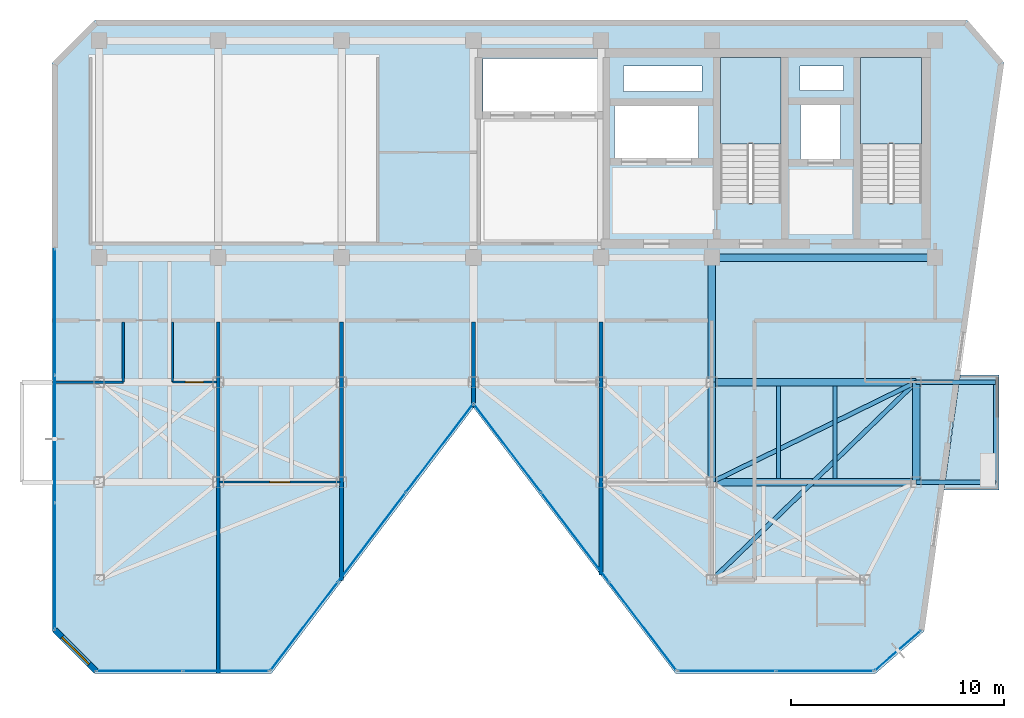
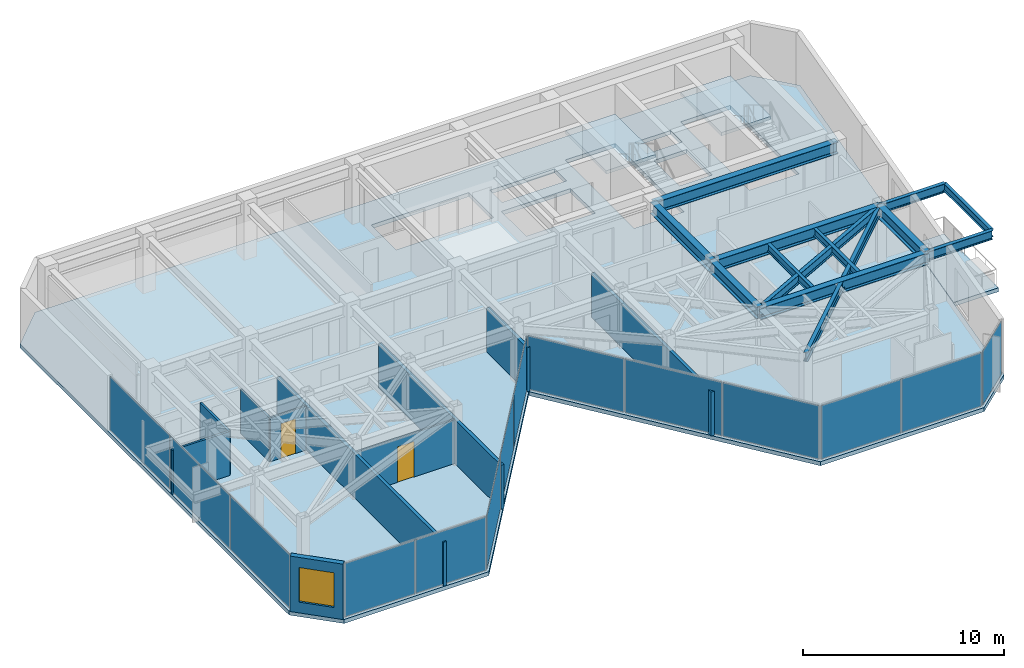
# One storey, part 15 of 20: 14 plates, 13 beams, 10 walls, 4 slabs, 2 doors, 1 window, 3 openings, 8 elements without a shape of their own.
"""IFC4 building model written with IfcOpenShell, lengths in metres."""

from ifc_helpers import new_model, si_unit, direction, frame, frame_2d, origin, origin_2d, place, context, subcontext, project, spatial, polyline, rectangle, i_section, outline, extrude, material, layer, layer_set, material_profile, profile_set, type_object, element, fill, aggregate, save


model = new_model("IFC4")

# Units and contexts
model_context = context("Model", 3, precision=1e-05, world=origin(), true_north=direction((0.0, 1.0)))
body_context = subcontext(model_context, "Body", "Model", "MODEL_VIEW")
ifc_project = project(units=[si_unit("LENGTHUNIT", "METRE"), si_unit("AREAUNIT", "SQUARE_METRE"), si_unit("VOLUMEUNIT", "CUBIC_METRE"), si_unit("PLANEANGLEUNIT", "RADIAN"), si_unit("MASSUNIT", "GRAM", prefix="KILO")], contexts=[model_context])

# Site, building, storey
site_placement = place(None, origin())
site = spatial("IfcSite", under=ifc_project, at=site_placement, CompositionType="ELEMENT")
building_placement = place(site_placement, origin())
building = spatial("IfcBuilding", under=site, at=building_placement, Name="Kravanh Interchange Tower", CompositionType="ELEMENT")
storey_placement = place(building_placement, frame((0.0, 0.0, 252.60009765625)))
storey = spatial("IfcBuildingStorey", under=building, at=storey_placement, Name="L61", CompositionType="ELEMENT", Elevation=252.60009765625)

# Beams
ifc_material_1 = material(Name="Structural Steel S355", Category="steel")
ifc_material_profile_1 = material_profile(ifc_material_1, i_section(OverallWidth=0.35498046875, OverallDepth=0.696044921875, WebThickness=0.015380859375, FlangeThickness=0.02490234375, FilletRadius=0.02392578125, at=origin_2d()), Name="W27X146")
ifc_profile_set_1 = profile_set([ifc_material_profile_1], Name="Structural Steel S355")
beam_type_1 = type_object("IfcBeamType", Name="Floor Beam W27X146 Structural Steel S355", PredefinedType="BEAM", material=ifc_profile_set_1)
beam_1_placement = place(storey_placement, frame((56.0, 31.5, 3.011962890625), z_axis=(0.0, -1.0, 0.0), x_axis=(1.0, 0.0, 0.0)))
element("IfcBeam", 1, at=beam_1_placement, inside=storey, type_object=beam_type_1, Name="L61 Primary Floor Girder 9", PredefinedType="BEAM", context=body_context, shape_type="SweptSolid", body=[
    extrude(i_section(OverallWidth=0.35498046875, OverallDepth=0.696044921875, WebThickness=0.015380859375, FlangeThickness=0.02490234375, FilletRadius=0.02392578125, at=origin_2d()), origin(), (0.0, 0.0, 1.0), 4.699951171875),
])
beam_2_placement = place(storey_placement, frame((56.0, 31.5, 3.011962890625), z_axis=(0.0, 1.0, 0.0), x_axis=(-1.0, 0.0, 0.0)))
element("IfcBeam", 2, at=beam_2_placement, inside=storey, type_object=beam_type_1, Name="L61 Primary Floor Girder 10", PredefinedType="BEAM", context=body_context, shape_type="SweptSolid", body=[
    extrude(i_section(OverallWidth=0.35498046875, OverallDepth=0.696044921875, WebThickness=0.015380859375, FlangeThickness=0.02490234375, FilletRadius=0.02392578125, at=origin_2d()), origin(), (0.0, 0.0, 1.0), 5.85009765625),
])
beam_3_placement = place(storey_placement, frame((56.0, 31.5, 3.011962890625), z_axis=(1.0, 0.0, 0.0), x_axis=(0.0, 1.0, 0.0)))
element("IfcBeam", 3, at=beam_3_placement, inside=storey, type_object=beam_type_1, Name="L61 Primary Floor Girder 12", PredefinedType="BEAM", context=body_context, shape_type="SweptSolid", body=[
    extrude(i_section(OverallWidth=0.35498046875, OverallDepth=0.696044921875, WebThickness=0.015380859375, FlangeThickness=0.02490234375, FilletRadius=0.02392578125, at=origin_2d()), origin(), (0.0, 0.0, 1.0), 9.60009765625),
])
beam_4_placement = place(storey_placement, frame((65.60009765625, 31.5, 3.011962890625), z_axis=(0.0, -1.0, 0.0), x_axis=(1.0, 0.0, 0.0)))
element("IfcBeam", 4, at=beam_4_placement, inside=storey, type_object=beam_type_1, Name="L61 Primary Floor Girder 13", PredefinedType="BEAM", context=body_context, shape_type="SweptSolid", body=[
    extrude(i_section(OverallWidth=0.35498046875, OverallDepth=0.696044921875, WebThickness=0.015380859375, FlangeThickness=0.02490234375, FilletRadius=0.02392578125, at=origin_2d()), origin(), (0.0, 0.0, 1.0), 4.699951171875),
])
beam_5_placement = place(storey_placement, frame((56.0, 26.800048828125, 3.011962890625), z_axis=(1.0, 0.0, 0.0), x_axis=(0.0, 1.0, 0.0)))
element("IfcBeam", 5, at=beam_5_placement, inside=storey, type_object=beam_type_1, Name="L61 Primary Floor Girder 36", PredefinedType="BEAM", context=body_context, shape_type="SweptSolid", body=[
    extrude(i_section(OverallWidth=0.35498046875, OverallDepth=0.696044921875, WebThickness=0.015380859375, FlangeThickness=0.02490234375, FilletRadius=0.02392578125, at=origin_2d()), origin(), (0.0, 0.0, 1.0), 9.60009765625),
])
beam_6_placement = place(storey_placement, frame((66.5, 37.35009765625, 3.011962890625), z_axis=(-1.0, 0.0, 0.0), x_axis=(0.0, -1.0, 0.0)))
element("IfcBeam", 6, at=beam_6_placement, inside=storey, type_object=beam_type_1, Name="L61 Primary Floor Girder 47", PredefinedType="BEAM", context=body_context, shape_type="SweptSolid", body=[
    extrude(i_section(OverallWidth=0.35498046875, OverallDepth=0.696044921875, WebThickness=0.015380859375, FlangeThickness=0.02490234375, FilletRadius=0.02392578125, at=origin_2d()), origin(), (0.0, 0.0, 1.0), 10.5),
])
ifc_material_2 = material(Name="Structural Steel S355", Category="steel")
ifc_material_profile_2 = material_profile(ifc_material_2, i_section(OverallWidth=0.18994140625, OverallDepth=0.45703125, WebThickness=0.009033203125, FlangeThickness=0.014404296875, FilletRadius=0.01806640625, at=origin_2d()), Name="W18X50")
ifc_profile_set_2 = profile_set([ifc_material_profile_2], Name="Structural Steel S355")
beam_type_2 = type_object("IfcBeamType", Name="Floor Joist W18X50 Structural Steel S355", PredefinedType="JOIST", material=ifc_profile_set_2)
for number, where, z_axis, x_axis, name in (
    (7, (59.139892578125, 26.972412109375, 3.13134765625), (0.0, 1.0, 0.0), (-1.0, 0.0, 0.0), "L61 Secondary Floor Joist 9"),
    (8, (61.7958984375, 26.972412109375, 3.13134765625), (0.0, 1.0, 0.0), (-1.0, 0.0, 0.0), "L61 Secondary Floor Joist 10"),
):
    element("IfcBeam", number, at=place(storey_placement, frame(where, z_axis=z_axis, x_axis=x_axis)), inside=storey, type_object=beam_type_2, Name=name, PredefinedType="JOIST", context=body_context, shape_type="SweptSolid", body=[
        extrude(i_section(OverallWidth=0.18994140625, OverallDepth=0.45703125, WebThickness=0.009033203125, FlangeThickness=0.014404296875, FilletRadius=0.01806640625, at=origin_2d()), origin(), (0.0, 0.0, 1.0), 4.35498046875),
    ])
beam_7_placement = place(storey_placement, frame((69.330078125, 26.800048828125, 3.13134765625), z_axis=(0.0, 1.0, 0.0), x_axis=(-1.0, 0.0, 0.0)))
element("IfcBeam", 9, at=beam_7_placement, inside=storey, type_object=beam_type_2, Name="L61 Balcony Edge Tie Beam E", PredefinedType="JOIST", context=body_context, shape_type="SweptSolid", body=[
    extrude(i_section(OverallWidth=0.18994140625, OverallDepth=0.45703125, WebThickness=0.009033203125, FlangeThickness=0.014404296875, FilletRadius=0.01806640625, at=origin_2d()), origin(), (0.0, 0.0, 1.0), 4.699951171875),
])
ifc_material_3 = material(Name="Structural Steel S355", Category="steel")
ifc_material_profile_3 = material_profile(ifc_material_3, i_section(OverallWidth=0.2099609375, OverallDepth=0.537109375, WebThickness=0.010986328125, FlangeThickness=0.017333984375, FilletRadius=0.02001953125, at=origin_2d()), Name="W21X68")
ifc_profile_set_3 = profile_set([ifc_material_profile_3], Name="Structural Steel S355")
beam_type_3 = type_object("IfcBeamType", Name="Floor Spandrel W21X68 Structural Steel S355", PredefinedType="SPANDREL", material=ifc_profile_set_3)
beam_8_placement = place(storey_placement, frame((65.60009765625, 31.5, 3.09130859375), z_axis=(-0.898141688387, -0.439706160499, 0.0), x_axis=(0.439706160499, -0.898141688387, 0.0)))
element("IfcBeam", 10, at=beam_8_placement, inside=storey, type_object=beam_type_3, Name="L61 Perimeter Spandrel 15", PredefinedType="SPANDREL", context=body_context, shape_type="SweptSolid", body=[
    extrude(i_section(OverallWidth=0.2099609375, OverallDepth=0.537109375, WebThickness=0.010986328125, FlangeThickness=0.017333984375, FilletRadius=0.02001953125, at=origin_2d()), origin(), (0.0, 0.0, 1.0), 10.68896484375),
])
beam_9_placement = place(storey_placement, frame((65.60009765625, 31.5, 3.09130859375), z_axis=(-0.718241934329, -0.695793449072, 0.0), x_axis=(0.695793449072, -0.718241934329, 0.0)))
element("IfcBeam", 11, at=beam_9_placement, inside=storey, type_object=beam_type_3, Name="L61 Perimeter Spandrel 16", PredefinedType="SPANDREL", context=body_context, shape_type="SweptSolid", body=[
    extrude(i_section(OverallWidth=0.2099609375, OverallDepth=0.537109375, WebThickness=0.010986328125, FlangeThickness=0.017333984375, FilletRadius=0.02001953125, at=origin_2d()), origin(), (0.0, 0.0, 1.0), 13.3662109375),
])
for number, where, z_axis, x_axis, name in (
    (12, (65.60009765625, 26.800048828125, 3.09130859375), (1.0, 0.0, 0.0), (0.0, 1.0, 0.0), "L61 Balcony Cantilever Outrigger E1"),
    (13, (65.60009765625, 31.5, 3.09130859375), (1.0, 0.0, 0.0), (0.0, 1.0, 0.0), "L61 Balcony Cantilever Outrigger E2"),
):
    element("IfcBeam", number, at=place(storey_placement, frame(where, z_axis=z_axis, x_axis=x_axis)), inside=storey, type_object=beam_type_3, Name=name, PredefinedType="SPANDREL", context=body_context, shape_type="SweptSolid", body=[
        extrude(i_section(OverallWidth=0.2099609375, OverallDepth=0.537109375, WebThickness=0.010986328125, FlangeThickness=0.017333984375, FilletRadius=0.02001953125, at=origin_2d()), origin(), (0.0, 0.0, 1.0), 3.72998046875),
    ])

# Curtain wall, plates
ifc_material_4 = material(Name="Anodised Bronze Aluminium", Category="aluminium")
ifc_layer_1 = layer(ifc_material_4, 0.179931640625)
ifc_layer_set_1 = layer_set([ifc_layer_1], Name="Unitised Curtain Wall System CW-HTL Luxury Hotel")
curtain_wall_type = type_object("IfcCurtainWallType", Name="Unitised Curtain Wall System CW-HTL Luxury Hotel", PredefinedType="NOTDEFINED", material=ifc_layer_set_1)
curtain_wall_1_placement = place(storey_placement, origin())
curtain_wall_1 = element("IfcCurtainWall", 14, at=curtain_wall_1_placement, inside=storey, type_object=curtain_wall_type, Name="L61 Unitised Curtain Wall CW-L61-01", PredefinedType="NOTDEFINED")
ifc_material_5 = material(Name="Low-E Laminated Architectural Glass", Category="glass")
ifc_layer_2 = layer(ifc_material_5, 0.030029296875)
ifc_layer_set_2 = layer_set([ifc_layer_2], Name="Acoustic Laminated Glazing 30mm")
plate_type = type_object("IfcPlateType", Name="Acoustic Laminated Glazing 30mm", PredefinedType="CURTAIN_PANEL", material=ifc_layer_set_2)
plate_1_placement = place(storey_placement, frame((25.1201171875, 22.8564453125, 0.06005859375), z_axis=(0.0, 0.0, 1.0), x_axis=(0.0, 1.0, 0.0)))
plate_1 = element("IfcPlate", 15, at=plate_1_placement, type_object=plate_type, Name="CW-HTL panel 1.1", PredefinedType="CURTAIN_PANEL", context=body_context, shape_type="SweptSolid", body=[
    extrude(rectangle(XDim=5.8935546875, YDim=0.030029296875, at=origin_2d()), origin(), (0.0, 0.0, 1.0), 3.239990234375),
])
plate_2_placement = place(storey_placement, frame((25.1201171875, 28.824951171875, 0.06005859375), z_axis=(0.0, 0.0, 1.0), x_axis=(0.0, 1.0, 0.0)))
plate_2 = element("IfcPlate", 16, at=plate_2_placement, type_object=plate_type, Name="CW-HTL panel 2.1", PredefinedType="CURTAIN_PANEL", context=body_context, shape_type="SweptSolid", body=[
    extrude(rectangle(XDim=5.92333984375, YDim=0.030029296875, at=origin_2d()), origin(), (0.0, 0.0, 1.0), 3.239990234375),
])
plate_3_placement = place(storey_placement, frame((25.1201171875, 34.793212890625, 0.06005859375), z_axis=(0.0, 0.0, 1.0), x_axis=(0.0, 1.0, 0.0)))
plate_3 = element("IfcPlate", 17, at=plate_3_placement, type_object=plate_type, Name="CW-HTL panel 3.1", PredefinedType="CURTAIN_PANEL", context=body_context, shape_type="SweptSolid", body=[
    extrude(rectangle(XDim=5.8935546875, YDim=0.030029296875, at=origin_2d()), origin(), (0.0, 0.0, 1.0), 3.239990234375),
])
aggregate(curtain_wall_1, [plate_1, plate_2, plate_3])

# Curtain wall, plate
curtain_wall_2_placement = place(storey_placement, origin())
curtain_wall_2 = element("IfcCurtainWall", 18, at=curtain_wall_2_placement, inside=storey, type_object=curtain_wall_type, Name="L61 Unitised Curtain Wall CW-L61-02", PredefinedType="NOTDEFINED")
plate_4_placement = place(storey_placement, frame((64.745849609375, 18.880859375, 0.06005859375), z_axis=(0.0, 0.0, 1.0), x_axis=(-0.754717231494, -0.656050227106, 0.0)))
plate_4 = element("IfcPlate", 19, at=plate_4_placement, type_object=plate_type, Name="CW-HTL panel 1.1", PredefinedType="CURTAIN_PANEL", context=body_context, shape_type="SweptSolid", body=[
    extrude(rectangle(XDim=2.80908203125, YDim=0.030029296875, at=origin_2d()), origin(), (0.0, 0.0, 1.0), 3.239990234375),
])
aggregate(curtain_wall_2, [plate_4])

# Curtain wall, plates
curtain_wall_3_placement = place(storey_placement, origin())
curtain_wall_3 = element("IfcCurtainWall", 20, at=curtain_wall_3_placement, inside=storey, type_object=curtain_wall_type, Name="L61 Unitised Curtain Wall CW-L61-03", PredefinedType="NOTDEFINED")
plate_5_placement = place(storey_placement, frame((61.30517578125, 17.919921875, 0.06005859375), z_axis=(0.0, 0.0, 1.0), x_axis=(-1.0, 0.0, 0.0)))
plate_5 = element("IfcPlate", 21, at=plate_5_placement, type_object=plate_type, Name="CW-HTL panel 1.1", PredefinedType="CURTAIN_PANEL", context=body_context, shape_type="SweptSolid", body=[
    extrude(rectangle(XDim=4.550537109375, YDim=0.030029296875, at=origin_2d()), origin(), (0.0, 0.0, 1.0), 3.239990234375),
])
plate_6_placement = place(storey_placement, frame((56.69482421875, 17.919921875, 0.06005859375), z_axis=(0.0, 0.0, 1.0), x_axis=(-1.0, 0.0, 0.0)))
plate_6 = element("IfcPlate", 22, at=plate_6_placement, type_object=plate_type, Name="CW-HTL panel 2.1", PredefinedType="CURTAIN_PANEL", context=body_context, shape_type="SweptSolid", body=[
    extrude(rectangle(XDim=4.550537109375, YDim=0.030029296875, at=origin_2d()), origin(), (0.0, 0.0, 1.0), 3.239990234375),
])
aggregate(curtain_wall_3, [plate_5, plate_6])

curtain_wall_4_placement = place(storey_placement, origin())
curtain_wall_4 = element("IfcCurtainWall", 23, at=curtain_wall_4_placement, inside=storey, type_object=curtain_wall_type, Name="L61 Unitised Curtain Wall CW-L61-04", PredefinedType="NOTDEFINED")
plate_7_placement = place(storey_placement, frame((52.757080078125, 20.0283203125, 0.06005859375), z_axis=(0.0, 0.0, 1.0), x_axis=(-0.605082946564, 0.79616243806, 0.0)))
plate_7 = element("IfcPlate", 24, at=plate_7_placement, type_object=plate_type, Name="CW-HTL panel 1.1", PredefinedType="CURTAIN_PANEL", context=body_context, shape_type="SweptSolid", body=[
    extrude(rectangle(XDim=5.17626953125, YDim=0.030029296875, at=origin_2d()), origin(), (0.0, 0.0, 1.0), 3.239990234375),
])
plate_8_placement = place(storey_placement, frame((49.579833984375, 24.209228515625, 0.06005859375), z_axis=(0.0, 0.0, 1.0), x_axis=(-0.605082946564, 0.79616243806, 0.0)))
plate_8 = element("IfcPlate", 25, at=plate_8_placement, type_object=plate_type, Name="CW-HTL panel 2.1", PredefinedType="CURTAIN_PANEL", context=body_context, shape_type="SweptSolid", body=[
    extrude(rectangle(XDim=5.206298828125, YDim=0.030029296875, at=origin_2d()), origin(), (0.0, 0.0, 1.0), 3.239990234375),
])
plate_9_placement = place(storey_placement, frame((46.40234375, 28.389892578125, 0.06005859375), z_axis=(0.0, 0.0, 1.0), x_axis=(-0.605082946564, 0.79616243806, 0.0)))
plate_9 = element("IfcPlate", 26, at=plate_9_placement, type_object=plate_type, Name="CW-HTL panel 3.1", PredefinedType="CURTAIN_PANEL", context=body_context, shape_type="SweptSolid", body=[
    extrude(rectangle(XDim=5.17626953125, YDim=0.030029296875, at=origin_2d()), origin(), (0.0, 0.0, 1.0), 3.239990234375),
])
aggregate(curtain_wall_4, [plate_7, plate_8, plate_9])

curtain_wall_5_placement = place(storey_placement, origin())
curtain_wall_5 = element("IfcCurtainWall", 27, at=curtain_wall_5_placement, inside=storey, type_object=curtain_wall_type, Name="L61 Unitised Curtain Wall CW-L61-05", PredefinedType="NOTDEFINED")
plate_10_placement = place(storey_placement, frame((43.19775390625, 28.389892578125, 0.06005859375), z_axis=(0.0, 0.0, 1.0), x_axis=(-0.605082946564, -0.79616243806, 0.0)))
plate_10 = element("IfcPlate", 28, at=plate_10_placement, type_object=plate_type, Name="CW-HTL panel 1.1", PredefinedType="CURTAIN_PANEL", context=body_context, shape_type="SweptSolid", body=[
    extrude(rectangle(XDim=5.17626953125, YDim=0.030029296875, at=origin_2d()), origin(), (0.0, 0.0, 1.0), 3.239990234375),
])
plate_11_placement = place(storey_placement, frame((40.020263671875, 24.209228515625, 0.06005859375), z_axis=(0.0, 0.0, 1.0), x_axis=(-0.605082946564, -0.79616243806, 0.0)))
plate_11 = element("IfcPlate", 29, at=plate_11_placement, type_object=plate_type, Name="CW-HTL panel 2.1", PredefinedType="CURTAIN_PANEL", context=body_context, shape_type="SweptSolid", body=[
    extrude(rectangle(XDim=5.206298828125, YDim=0.030029296875, at=origin_2d()), origin(), (0.0, 0.0, 1.0), 3.239990234375),
])
plate_12_placement = place(storey_placement, frame((36.8427734375, 20.0283203125, 0.06005859375), z_axis=(0.0, 0.0, 1.0), x_axis=(-0.605082946564, -0.79616243806, 0.0)))
plate_12 = element("IfcPlate", 30, at=plate_12_placement, type_object=plate_type, Name="CW-HTL panel 3.1", PredefinedType="CURTAIN_PANEL", context=body_context, shape_type="SweptSolid", body=[
    extrude(rectangle(XDim=5.17626953125, YDim=0.030029296875, at=origin_2d()), origin(), (0.0, 0.0, 1.0), 3.239990234375),
])
aggregate(curtain_wall_5, [plate_10, plate_11, plate_12])

curtain_wall_6_placement = place(storey_placement, origin())
curtain_wall_6 = element("IfcCurtainWall", 31, at=curtain_wall_6_placement, inside=storey, type_object=curtain_wall_type, Name="L61 Unitised Curtain Wall CW-L61-06", PredefinedType="NOTDEFINED")
plate_13_placement = place(storey_placement, frame((33.177734375, 17.919921875, 0.06005859375), z_axis=(0.0, 0.0, 1.0), x_axis=(-1.0, 0.0, 0.0)))
plate_13 = element("IfcPlate", 32, at=plate_13_placement, type_object=plate_type, Name="CW-HTL panel 1.1", PredefinedType="CURTAIN_PANEL", context=body_context, shape_type="SweptSolid", body=[
    extrude(rectangle(XDim=4.00537109375, YDim=0.030029296875, at=origin_2d()), origin(), (0.0, 0.0, 1.0), 3.239990234375),
])
plate_14_placement = place(storey_placement, frame((29.1123046875, 17.919921875, 0.06005859375), z_axis=(0.0, 0.0, 1.0), x_axis=(-1.0, 0.0, 0.0)))
plate_14 = element("IfcPlate", 33, at=plate_14_placement, type_object=plate_type, Name="CW-HTL panel 2.1", PredefinedType="CURTAIN_PANEL", context=body_context, shape_type="SweptSolid", body=[
    extrude(rectangle(XDim=4.00537109375, YDim=0.030029296875, at=origin_2d()), origin(), (0.0, 0.0, 1.0), 3.239990234375),
])
aggregate(curtain_wall_6, [plate_13, plate_14])

# Slab
ifc_material_6 = material(Name="Concrete C50/60", Category="concrete")
ifc_layer_3 = layer(ifc_material_6, 0.239990234375)
ifc_layer_set_3 = layer_set([ifc_layer_3], Name="Composite Floor Slab Concrete C50/60 240mm")
slab_type_1 = type_object("IfcSlabType", Name="Composite Floor Slab Concrete C50/60 240mm", PredefinedType="FLOOR", material=ifc_layer_set_3)
slab_1_placement = place(storey_placement, frame((0.0, 0.0, -0.239990234375)))
element("IfcSlab", 34, at=slab_1_placement, inside=storey, type_object=slab_type_1, Name="L61 Structural Floor Slab", PredefinedType="FLOOR", context=body_context, shape_type="SweptSolid", body=[
    extrude(outline(polyline([(25.0, 19.800048828125), (27.0, 17.800048828125), (35.300048828125, 17.800048828125), (44.800048828125, 30.300048828125), (54.300048828125, 17.800048828125), (63.685302734375, 17.800048828125), (65.963623046875, 19.780517578125), (69.7216796875, 46.51953125), (68.0, 48.5), (27.0, 48.5), (25.0, 46.5), (25.0, 19.800048828125)]), holes=[polyline([(65.85009765625, 39.925048828125), (65.85009765625, 46.75), (63.0, 46.75), (63.0, 39.925048828125), (65.85009765625, 39.925048828125)]), polyline([(59.25, 39.925048828125), (59.25, 46.75), (56.39990234375, 46.75), (56.39990234375, 39.925048828125), (59.25, 39.925048828125)]), polyline([(45.239990234375, 44.219970703125), (50.840087890625, 44.219970703125), (50.840087890625, 46.699951171875), (45.239990234375, 46.699951171875), (45.239990234375, 44.219970703125)]), polyline([(51.419921875, 42.02001953125), (55.3798828125, 42.02001953125), (55.3798828125, 44.47998046875), (51.419921875, 44.47998046875), (51.419921875, 42.02001953125)]), polyline([(60.179931640625, 41.97998046875), (62.06005859375, 41.97998046875), (62.06005859375, 44.52001953125), (60.179931640625, 44.52001953125), (60.179931640625, 41.97998046875)]), polyline([(60.14990234375, 45.199951171875), (62.199951171875, 45.199951171875), (62.199951171875, 46.35009765625), (60.14990234375, 46.35009765625), (60.14990234375, 45.199951171875)]), polyline([(51.85009765625, 45.14990234375), (55.550048828125, 45.14990234375), (55.550048828125, 46.35009765625), (51.85009765625, 46.35009765625), (51.85009765625, 45.14990234375)])]), origin(), (0.0, 0.0, 1.0), 0.239990234375),
])

# Stair, slab
ifc_material_7 = material(Name="Concrete C50/60", Category="concrete")
stair_type = type_object("IfcStairType", Name="Core Fire Exit Dogleg Stair Concrete C50/60", PredefinedType="HALF_TURN_STAIR", material=ifc_material_7)
stair_1_placement = place(storey_placement, origin())
stair_1 = element("IfcStair", 35, at=stair_1_placement, inside=storey, type_object=stair_type, Name="L61 Exit Stair ST1", PredefinedType="HALF_TURN_STAIR")
ifc_material_8 = material(Name="Concrete C50/60", Category="concrete")
ifc_layer_4 = layer(ifc_material_8, 0.199951171875)
ifc_layer_set_4 = layer_set([ifc_layer_4], Name="Concrete C50/60 Stair Half-Landing Slab 200mm")
slab_type_2 = type_object("IfcSlabType", Name="Concrete C50/60 Stair Half-Landing Slab 200mm", PredefinedType="LANDING", material=ifc_layer_set_4)
slab_2_placement = place(storey_placement, frame((0.0, 0.0, 1.599853515625)))
slab_2 = element("IfcSlab", 36, at=slab_2_placement, type_object=slab_type_2, Name="ST1 landing 1", PredefinedType="LANDING", context=body_context, shape_type="SweptSolid", body=[
    extrude(outline(polyline([(65.85009765625, 42.699951171875), (65.85009765625, 46.75), (63.0, 46.75), (63.0, 42.699951171875), (65.85009765625, 42.699951171875)])), origin(), (0.0, 0.0, 1.0), 0.199951171875),
])
aggregate(stair_1, [slab_2])

stair_2_placement = place(storey_placement, origin())
stair_2 = element("IfcStair", 37, at=stair_2_placement, inside=storey, type_object=stair_type, Name="L61 Exit Stair ST2", PredefinedType="HALF_TURN_STAIR")
slab_3_placement = place(storey_placement, frame((0.0, 0.0, 1.599853515625)))
slab_3 = element("IfcSlab", 38, at=slab_3_placement, type_object=slab_type_2, Name="ST2 landing 1", PredefinedType="LANDING", context=body_context, shape_type="SweptSolid", body=[
    extrude(outline(polyline([(59.25, 42.699951171875), (59.25, 46.75), (56.39990234375, 46.75), (56.39990234375, 42.699951171875), (59.25, 42.699951171875)])), origin(), (0.0, 0.0, 1.0), 0.199951171875),
])
aggregate(stair_2, [slab_3])

# Slab
ifc_material_9 = material(Name="Concrete C50/60", Category="concrete")
ifc_layer_5 = layer(ifc_material_9, 0.199951171875)
ifc_layer_set_5 = layer_set([ifc_layer_5], Name="Planted Tree Balcony Slab Concrete C50/60 200mm")
slab_type_3 = type_object("IfcSlabType", Name="Planted Tree Balcony Slab Concrete C50/60 200mm", PredefinedType="USERDEFINED", material=ifc_layer_set_5)
slab_4_placement = place(storey_placement, frame((0.0, 0.0, -0.239990234375)))
element("IfcSlab", 39, at=slab_4_placement, inside=storey, type_object=slab_type_3, Name="L61 East Tree Planter Balcony Slab", ObjectType="BALCONY", PredefinedType="USERDEFINED", context=body_context, shape_type="SweptSolid", body=[
    extrude(outline(polyline([(69.489990234375, 31.830078125), (69.489990234375, 26.429931640625), (66.913330078125, 26.429931640625), (67.67236328125, 31.830078125), (69.489990234375, 31.830078125)])), origin(), (0.0, 0.0, 1.0), 0.239990234375),
])

# Walls
ifc_material_10 = material(Name="Double Acoustic Gypsum Board and Mineral Wool")
ifc_layer_6 = layer(ifc_material_10, 0.1201171875)
ifc_layer_set_6 = layer_set([ifc_layer_6], Name="Acoustic Office Drywall Partition 120mm")
wall_type_1 = type_object("IfcWallType", Name="Acoustic Office Drywall Partition 120mm", PredefinedType="PARTITIONING", material=ifc_layer_set_6)
wall_1_placement = place(storey_placement, frame((28.340087890625, 31.5, 0.0), z_axis=(0.0, 0.0, 1.0), x_axis=(0.0, 1.0, 0.0)))
element("IfcWall", 40, at=wall_1_placement, inside=storey, type_object=wall_type_1, Name="L61 Interior Partition 13", PredefinedType="PARTITIONING", context=body_context, shape_type="SweptSolid", body=[
    extrude(rectangle(XDim=2.83203125, YDim=0.1201171875, at=frame_2d((1.416015625, 0.0))), origin(), (0.0, 0.0, 1.0), 2.663818359375),
])
wall_2_placement = place(storey_placement, frame((25.014892578125, 31.5, 0.0), z_axis=(0.0, 0.0, 1.0), x_axis=(1.0, 0.0, 0.0)))
element("IfcWall", 41, at=wall_2_placement, inside=storey, type_object=wall_type_1, Name="L61 Interior Partition 14", PredefinedType="PARTITIONING", context=body_context, shape_type="SweptSolid", body=[
    extrude(rectangle(XDim=3.3251953125, YDim=0.1201171875, at=frame_2d((1.66259765625, 0.0))), origin(), (0.0, 0.0, 1.0), 2.663818359375),
])
ifc_material_11 = material(Name="Moisture-Resistant Gypsum Board and Mineral Wool")
ifc_layer_7 = layer(ifc_material_11, 0.10009765625)
ifc_layer_set_7 = layer_set([ifc_layer_7], Name="En-Suite Moisture-Resistant Partition 100mm")
wall_type_2 = type_object("IfcWallType", Name="En-Suite Moisture-Resistant Partition 100mm", PredefinedType="PARTITIONING", material=ifc_layer_set_7)
wall_3_placement = place(storey_placement, frame((30.64990234375, 31.5, 0.0), z_axis=(0.0, 0.0, 1.0), x_axis=(0.0, 1.0, 0.0)))
element("IfcWall", 42, at=wall_3_placement, inside=storey, type_object=wall_type_2, Name="L61 Interior Partition 22", PredefinedType="PARTITIONING", context=body_context, shape_type="SweptSolid", body=[
    extrude(rectangle(XDim=2.83203125, YDim=0.10009765625, at=frame_2d((1.416015625, 0.0))), origin(), (0.0, 0.0, 1.0), 2.663818359375),
])

# Wall, opening, door
wall_4_placement = place(storey_placement, frame((30.64990234375, 31.5, 0.0), z_axis=(0.0, 0.0, 1.0), x_axis=(1.0, 0.0, 0.0)))
wall_4 = element("IfcWall", 43, at=wall_4_placement, inside=storey, type_object=wall_type_2, Name="L61 Interior Partition 23", PredefinedType="PARTITIONING", context=body_context, shape_type="SweptSolid", body=[
    extrude(rectangle(XDim=2.08203125, YDim=0.10009765625, at=frame_2d((1.041015625, 0.0))), origin(), (0.0, 0.0, 1.0), 2.663818359375),
])
opening_1_placement = place(wall_4_placement, frame((0.607421875, 0.0, 0.0)))
opening_1 = element("IfcOpeningElement", 44, at=opening_1_placement, cuts=wall_4, Name="Opening D-85", PredefinedType="OPENING", context=body_context, shape_type="SweptSolid", body=[
    extrude(rectangle(XDim=0.85009765625, YDim=2.10009765625, at=frame_2d((0.425048828125, 1.050048828125))), frame((0.0, 0.06005859375, 0.0), z_axis=(0.0, -1.0, 0.0), x_axis=(1.0, 0.0, 0.0)), (0.0, 0.0, 1.0), 0.1201171875),
])
ifc_material_12 = material(Name="Engineered Teak Veneer Timber", Category="wood")
door_type_1 = type_object("IfcDoorType", Name="En-Suite Timber Door 850x2100", OperationType="NOTDEFINED", PredefinedType="DOOR", material=ifc_material_12)
door_1_placement = place(opening_1_placement, origin())
door_1 = element("IfcDoor", 45, at=door_1_placement, inside=storey, type_object=door_type_1, Name="L61 En-suite Bathroom Door", OperationType="SINGLE_SWING_RIGHT", OverallHeight=2.10009765625, OverallWidth=0.85009765625, PredefinedType="DOOR", context=body_context, shape_type="SweptSolid", body=[
    extrude(rectangle(XDim=0.85009765625, YDim=2.10009765625, at=frame_2d((0.425048828125, 1.050048828125))), frame((0.0, 0.02490234375, 0.0), z_axis=(0.0, -1.0, 0.0), x_axis=(1.0, 0.0, 0.0)), (0.0, 0.0, 1.0), 0.050048828125),
])
fill(opening_1, door_1)

wall_5_placement = place(storey_placement, frame((32.867919921875, 26.800048828125, 0.0), z_axis=(0.0, 0.0, 1.0), x_axis=(1.0, 0.0, 0.0)))
wall_5 = element("IfcWall", 46, at=wall_5_placement, inside=storey, type_object=wall_type_2, Name="L61 Interior Partition 25", PredefinedType="PARTITIONING", context=body_context, shape_type="SweptSolid", body=[
    extrude(rectangle(XDim=5.6640625, YDim=0.10009765625, at=frame_2d((2.83203125, 0.0))), origin(), (0.0, 0.0, 1.0), 2.663818359375),
])
opening_2_placement = place(wall_5_placement, frame((2.35693359375, 0.0, 0.0)))
opening_2 = element("IfcOpeningElement", 47, at=opening_2_placement, cuts=wall_5, Name="Opening D-95", PredefinedType="OPENING", context=body_context, shape_type="SweptSolid", body=[
    extrude(rectangle(XDim=0.949951171875, YDim=2.14990234375, at=frame_2d((0.47509765625, 1.074951171875))), frame((0.0, 0.06005859375, 0.0), z_axis=(0.0, -1.0, 0.0), x_axis=(1.0, 0.0, 0.0)), (0.0, 0.0, 1.0), 0.1201171875),
])
ifc_material_13 = material(Name="Laminate Solid-Core Timber", Category="wood")
door_type_2 = type_object("IfcDoorType", Name="Accessible Restroom Door 950x2150", OperationType="NOTDEFINED", PredefinedType="DOOR", material=ifc_material_13)
door_2_placement = place(opening_2_placement, origin())
door_2 = element("IfcDoor", 48, at=door_2_placement, inside=storey, type_object=door_type_2, Name="L61 Sunroom Alcove Inner Door", OperationType="SINGLE_SWING_LEFT", OverallHeight=2.14990234375, OverallWidth=0.949951171875, PredefinedType="DOOR", context=body_context, shape_type="SweptSolid", body=[
    extrude(rectangle(XDim=0.949951171875, YDim=2.14990234375, at=frame_2d((0.47509765625, 1.074951171875))), frame((0.0, 0.02490234375, 0.0), z_axis=(0.0, -1.0, 0.0), x_axis=(1.0, 0.0, 0.0)), (0.0, 0.0, 1.0), 0.050048828125),
])
fill(opening_2, door_2)

# Wall, opening, window
ifc_material_14 = material(Name="Insulated Precast Concrete C40/50 with Bronze Cladding", Category="concrete")
ifc_layer_8 = layer(ifc_material_14, 0.280029296875)
ifc_layer_set_8 = layer_set([ifc_layer_8], Name="Exterior Insulated Concrete C40/50 Bronze Spandrel Wall 280mm")
wall_type_3 = type_object("IfcWallType", Name="Exterior Insulated Concrete C40/50 Bronze Spandrel Wall 280mm", PredefinedType="STANDARD", material=ifc_layer_set_8)
wall_6_placement = place(storey_placement, frame((27.0498046875, 17.919921875, 0.0), z_axis=(0.0, 0.0, 1.0), x_axis=(-0.707106781187, 0.707106781187, 0.0)))
wall_6 = element("IfcWall", 49, at=wall_6_placement, inside=storey, type_object=wall_type_3, Name="L61 Exterior Wall 7", PredefinedType="STANDARD", context=body_context, shape_type="SweptSolid", body=[
    extrude(rectangle(XDim=2.72900390625, YDim=0.280029296875, at=frame_2d((1.364501953125, 0.0))), origin(), (0.0, 0.0, 1.0), 3.35986328125),
])
opening_3_placement = place(wall_6_placement, frame((0.455078125, 0.0, 0.64990234375)))
opening_3 = element("IfcOpeningElement", 50, at=opening_3_placement, cuts=wall_6, Name="Opening WN-180X210", PredefinedType="OPENING", context=body_context, shape_type="SweptSolid", body=[
    extrude(rectangle(XDim=1.800048828125, YDim=2.10009765625, at=frame_2d((0.89990234375, 1.050048828125))), frame((0.0, 0.14990234375, 0.0), z_axis=(0.0, -1.0, 0.0), x_axis=(1.0, 0.0, 0.0)), (0.0, 0.0, 1.0), 0.300048828125),
])
ifc_material_15 = material(Name="Thermally Broken Bronze Aluminium and Low-E Glass", Category="aluminium")
window_type = type_object("IfcWindowType", Name="Tower Pier Window 1800x2100", PartitioningType="SINGLE_PANEL", PredefinedType="WINDOW", material=ifc_material_15)
window_placement = place(opening_3_placement, origin())
window = element("IfcWindow", 51, at=window_placement, inside=storey, type_object=window_type, Name="L61 Corner Window 7", OverallHeight=2.10009765625, OverallWidth=1.800048828125, PartitioningType="SINGLE_PANEL", PredefinedType="WINDOW", context=body_context, shape_type="SweptSolid", body=[
    extrude(rectangle(XDim=1.800048828125, YDim=2.10009765625, at=frame_2d((0.89990234375, 1.050048828125))), frame((0.0, 0.030029296875, 0.0), z_axis=(0.0, -1.0, 0.0), x_axis=(1.0, 0.0, 0.0)), (0.0, 0.0, 1.0), 0.06005859375),
])
fill(opening_3, window)

# Walls
ifc_material_16 = material(Name="Autoclaved Aerated Concrete C30/37 Blockwork", Category="masonry")
ifc_layer_9 = layer(ifc_material_16, 0.179931640625)
ifc_layer_set_9 = layer_set([ifc_layer_9], Name="Fire-Rated Lobby and Corridor Wall Concrete C30/37 180mm")
wall_type_4 = type_object("IfcWallType", Name="Fire-Rated Lobby and Corridor Wall Concrete C30/37 180mm", PredefinedType="STANDARD", material=ifc_layer_set_9)
wall_7_placement = place(storey_placement, frame((32.800048828125, 17.81494140625, 0.0), z_axis=(0.0, 0.0, 1.0), x_axis=(0.0, 1.0, 0.0)))
element("IfcWall", 52, at=wall_7_placement, inside=storey, type_object=wall_type_4, Name="L61 Interior Partition 24", PredefinedType="STANDARD", context=body_context, shape_type="SweptSolid", body=[
    extrude(rectangle(XDim=16.51708984375, YDim=0.179931640625, at=frame_2d((8.258544921875, 0.0))), origin(), (0.0, 0.0, 1.0), 2.663818359375),
])
wall_8_placement = place(storey_placement, frame((38.60009765625, 22.1669921875, 0.0), z_axis=(0.0, 0.0, 1.0), x_axis=(0.0, 1.0, 0.0)))
element("IfcWall", 53, at=wall_8_placement, inside=storey, type_object=wall_type_4, Name="L61 Interior Partition 26", PredefinedType="STANDARD", context=body_context, shape_type="SweptSolid", body=[
    extrude(rectangle(XDim=12.1650390625, YDim=0.179931640625, at=frame_2d((6.08251953125, 0.0))), origin(), (0.0, 0.0, 1.0), 2.663818359375),
])
wall_9_placement = place(storey_placement, frame((44.800048828125, 30.32470703125, 0.0), z_axis=(0.0, 0.0, 1.0), x_axis=(0.0, 1.0, 0.0)))
element("IfcWall", 54, at=wall_9_placement, inside=storey, type_object=wall_type_4, Name="L61 Interior Partition 27", PredefinedType="STANDARD", context=body_context, shape_type="SweptSolid", body=[
    extrude(rectangle(XDim=4.00732421875, YDim=0.179931640625, at=frame_2d((2.003662109375, 0.0))), origin(), (0.0, 0.0, 1.0), 2.663818359375),
])
wall_10_placement = place(storey_placement, frame((50.800048828125, 22.43017578125, 0.0), z_axis=(0.0, 0.0, 1.0), x_axis=(0.0, 1.0, 0.0)))
element("IfcWall", 55, at=wall_10_placement, inside=storey, type_object=wall_type_4, Name="L61 Interior Partition 30", PredefinedType="STANDARD", context=body_context, shape_type="SweptSolid", body=[
    extrude(rectangle(XDim=11.90185546875, YDim=0.179931640625, at=frame_2d((5.950927734375, 0.0))), origin(), (0.0, 0.0, 1.0), 2.663818359375),
])

save(model, "model.ifc")
